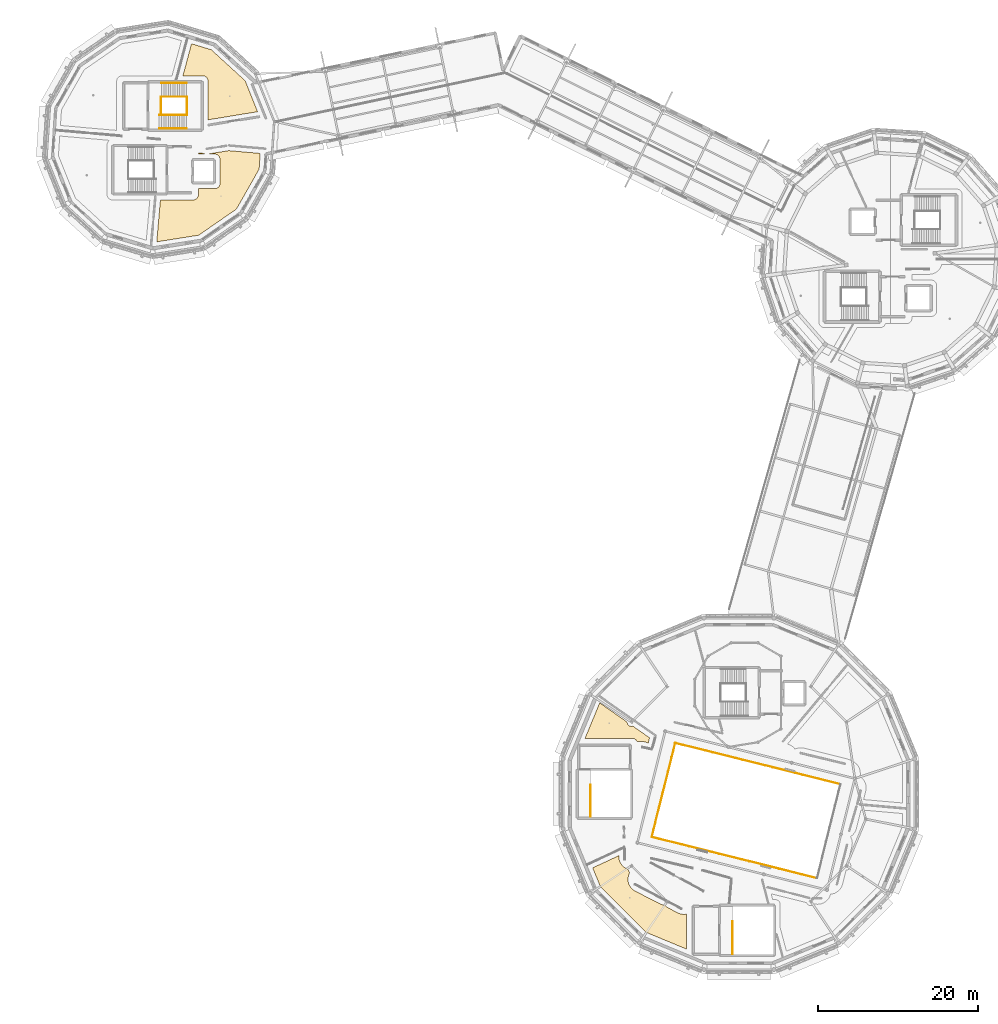
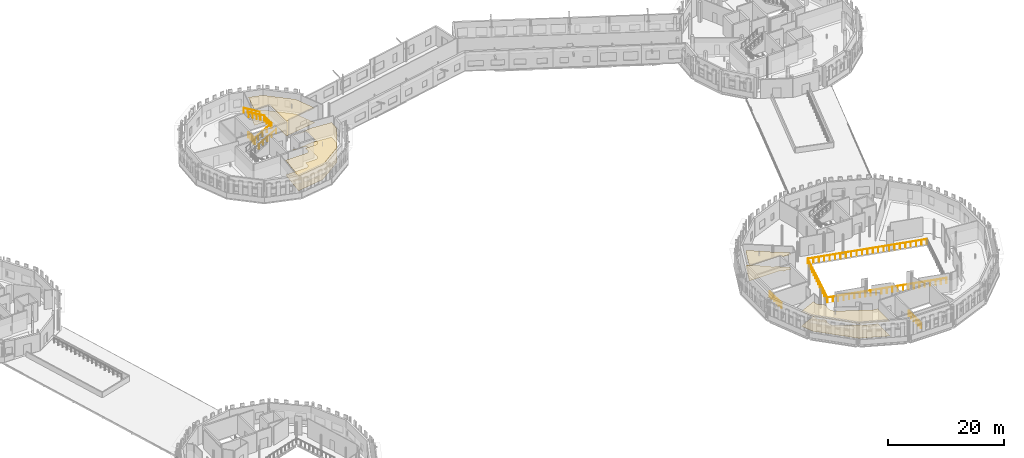
# One storey, part 66 of 68: 11 railings, 8 coverings.
"""IFC4 building model written with IfcOpenShell, lengths in metres."""

from ifc_helpers import new_model, si_unit, direction, frame, origin, origin_2d, place, context, subcontext, project, spatial, polyline, circle, outline, extrude, material, layer, layer_set, type_object, element, save


model = new_model("IFC4")

# Units and contexts
model_context = context("Model", 3, precision=1e-05, world=origin(), true_north=direction((0.0, 1.0)))
body_context = subcontext(model_context, "Body", "Model", "MODEL_VIEW")
ifc_project = project(units=[si_unit("LENGTHUNIT", "METRE"), si_unit("AREAUNIT", "SQUARE_METRE"), si_unit("VOLUMEUNIT", "CUBIC_METRE"), si_unit("PLANEANGLEUNIT", "RADIAN"), si_unit("MASSUNIT", "GRAM", prefix="KILO")], contexts=[model_context])

# Site, building, storey
site_placement = place(None, origin())
site = spatial("IfcSite", under=ifc_project, at=site_placement, CompositionType="ELEMENT")
building_placement = place(site_placement, origin())
building = spatial("IfcBuilding", under=site, at=building_placement, Name="Wrenclough Park School", CompositionType="ELEMENT")
storey_placement = place(building_placement, frame((0.0, 0.0, 12.60009765625)))
storey = spatial("IfcBuildingStorey", under=building, at=storey_placement, Name="L03", CompositionType="ELEMENT", Elevation=12.60009765625)

# Coverings
ifc_material_1 = material(Name="Class A mineral-fibre acoustic ceiling raft", Category="gypsum")
ifc_layer_1 = layer(ifc_material_1, 0.044921875)
ifc_layer_set_1 = layer_set([ifc_layer_1], Name="Class A mineral-fibre acoustic ceiling raft")
covering_type_1 = type_object("IfcCoveringType", Name="INT-COV-CEIL", PredefinedType="CEILING", material=ifc_layer_set_1)
covering_1_placement = place(storey_placement, frame((0.0, 0.0, 3.054931640625)))
element("IfcCovering", 1, at=covering_1_placement, inside=storey, type_object=covering_type_1, Name="Health and Nutrition Classroom acoustic ceiling raft", PredefinedType="CEILING", context=body_context, shape_type="SweptSolid", body=[
    extrude(outline(polyline([(140.449951171875, 18.62841796875), (140.45068359375, 18.757080078125), (137.168701171875, 17.233642578125), (138.135986328125, 14.897705078125), (143.897705078125, 9.135986328125), (148.929931640625, 7.0517578125), (148.929931640625, 11.45068359375), (148.7216796875, 11.40380859375), (148.605712890625, 11.3974609375), (148.167236328125, 11.453369140625), (148.0966796875, 11.474853515625), (148.02880859375, 11.50390625), (146.579345703125, 12.23388671875), (146.353515625, 12.4111328125), (146.308837890625, 12.45068359375), (146.238525390625, 12.5283203125), (146.112548828125, 12.541015625), (146.059814453125, 12.55224609375), (145.748779296875, 12.65771484375), (145.665283203125, 12.693359375), (142.476806640625, 14.325439453125), (142.37158203125, 14.392822265625), (142.073486328125, 14.627197265625), (141.982421875, 14.71435546875), (141.943603515625, 14.76416015625), (141.71923828125, 15.1533203125), (141.66748046875, 15.269775390625), (141.639404296875, 15.394287109375), (141.591796875, 15.777587890625), (141.587890625, 15.89111328125), (141.59326171875, 15.947998046875), (141.672607421875, 16.30126953125), (141.694580078125, 16.375732421875), (141.814697265625, 16.624267578125), (141.7451171875, 16.72314453125), (141.714111328125, 16.781982421875), (141.6318359375, 16.95849609375), (141.593994140625, 17.064208984375), (141.468994140625, 17.110107421875), (141.275390625, 17.204833984375), (141.178466796875, 17.26318359375), (140.90771484375, 17.495361328125), (140.819580078125, 17.589111328125), (140.782958984375, 17.641845703125), (140.605712890625, 17.929931640625), (140.56494140625, 18.028076171875), (140.486083984375, 18.28369140625), (140.449951171875, 18.62841796875)])), origin(), (0.0, 0.0, 1.0), 0.044921875),
])
covering_2_placement = place(storey_placement, frame((0.0, 0.0, 3.054931640625)))
element("IfcCovering", 2, at=covering_2_placement, inside=storey, type_object=covering_type_1, Name="Athletic Theory Classroom acoustic ceiling raft", PredefinedType="CEILING", context=body_context, shape_type="SweptSolid", body=[
    extrude(outline(polyline([(142.734619140625, 33.029541015625), (142.80224609375, 33.052001953125), (142.912109375, 33.072021484375), (143.41552734375, 33.075927734375), (143.536376953125, 33.053955078125), (144.13818359375, 32.884033203125), (144.298095703125, 33.525634765625), (142.2138671875, 34.985107421875), (142.13671875, 34.963134765625), (142.08349609375, 34.955322265625), (141.976318359375, 34.955322265625), (141.923095703125, 34.963134765625), (141.820556640625, 34.994384765625), (141.725830078125, 35.044921875), (141.682861328125, 35.076904296875), (141.60693359375, 35.15283203125), (141.54736328125, 35.241943359375), (141.50634765625, 35.341064453125), (141.4931640625, 35.393310546875), (141.48291015625, 35.4970703125), (138.052001953125, 37.8994140625), (136.21728515625, 33.469970703125), (142.18359375, 33.466796875), (142.30859375, 33.44189453125), (142.36865234375, 33.42041015625), (142.481201171875, 33.360595703125), (142.57958984375, 33.279541015625), (142.62255859375, 33.232421875), (142.693115234375, 33.12646484375), (142.734619140625, 33.029541015625)])), origin(), (0.0, 0.0, 1.0), 0.044921875),
])
covering_3_placement = place(storey_placement, frame((0.0, 0.0, 3.054931640625)))
element("IfcCovering", 3, at=covering_3_placement, inside=storey, type_object=covering_type_1, Name="Heads of Year Staff Room acoustic ceiling raft", PredefinedType="CEILING", context=body_context, shape_type="SweptSolid", body=[
    extrude(outline(polyline([(83.01025390625, 100.929931640625), (82.5498046875, 95.667724609375), (87.81298828125, 96.501220703125), (92.54248046875, 99.777587890625), (95.382080078125, 104.78173828125), (95.514892578125, 106.752685546875), (91.576416015625, 107.09716796875), (89.0107421875, 106.68701171875), (88.8017578125, 106.676025390625), (88.667724609375, 106.682861328125), (88.394775390625, 106.7294921875), (88.205810546875, 106.801513671875), (87.90673828125, 106.80517578125), (87.77001953125, 106.822265625), (87.77001953125, 106.669921875), (89.820068359375, 106.669921875), (89.94677734375, 106.657470703125), (90.068603515625, 106.62060546875), (90.18115234375, 106.560546875), (90.279541015625, 106.4794921875), (90.360595703125, 106.381103515625), (90.42041015625, 106.268798828125), (90.44189453125, 106.208740234375), (90.45751953125, 106.146728515625), (90.469970703125, 106.02001953125), (90.469970703125, 102.97998046875), (90.45751953125, 102.853271484375), (90.44189453125, 102.791259765625), (90.393310546875, 102.673583984375), (90.322509765625, 102.567626953125), (90.232421875, 102.4775390625), (90.12646484375, 102.40673828125), (90.0087890625, 102.35791015625), (89.8837890625, 102.3330078125), (87.77001953125, 102.330078125), (87.766845703125, 101.516357421875), (87.757568359375, 101.453125), (87.720458984375, 101.331298828125), (87.660400390625, 101.218994140625), (87.62255859375, 101.16748046875), (87.532470703125, 101.077392578125), (87.481201171875, 101.03955078125), (87.36865234375, 100.9794921875), (87.246826171875, 100.9423828125), (87.1201171875, 100.929931640625), (83.01025390625, 100.929931640625)])), origin(), (0.0, 0.0, 1.0), 0.044921875),
])
covering_4_placement = place(storey_placement, frame((0.0, 0.0, 3.054931640625)))
element("IfcCovering", 4, at=covering_4_placement, inside=storey, type_object=covering_type_1, Name="Earth Science Laboratory acoustic ceiling raft", PredefinedType="CEILING", context=body_context, shape_type="SweptSolid", body=[
    extrude(outline(polyline([(88.969970703125, 115.820068359375), (88.969970703125, 110.9541015625), (95.186767578125, 111.973876953125), (93.626953125, 115.8623046875), (89.380126953125, 119.744140625), (86.905517578125, 120.4873046875), (85.8291015625, 116.469970703125), (88.320068359375, 116.469970703125), (88.44677734375, 116.45751953125), (88.568603515625, 116.42041015625), (88.68115234375, 116.360595703125), (88.732421875, 116.322509765625), (88.822509765625, 116.232421875), (88.893310546875, 116.12646484375), (88.94189453125, 116.0087890625), (88.95751953125, 115.94677734375), (88.969970703125, 115.820068359375)])), origin(), (0.0, 0.0, 1.0), 0.044921875),
])
ifc_material_2 = material(Name="Acoustic natural linoleum school flooring", Category="wood")
ifc_layer_2 = layer(ifc_material_2, 0.014892578125)
ifc_layer_set_2 = layer_set([ifc_layer_2], Name="Acoustic natural linoleum school flooring")
covering_type_2 = type_object("IfcCoveringType", Name="INT-COV-FLOOR1", PredefinedType="FLOORING", material=ifc_layer_set_2)
covering_5_placement = place(storey_placement, origin())
element("IfcCovering", 5, at=covering_5_placement, inside=storey, type_object=covering_type_2, Name="Health and Nutrition Classroom floor finish", PredefinedType="FLOORING", context=body_context, shape_type="SweptSolid", body=[
    extrude(outline(polyline([(140.449951171875, 18.62841796875), (140.45068359375, 18.757080078125), (137.168701171875, 17.233642578125), (138.135986328125, 14.897705078125), (143.897705078125, 9.135986328125), (148.929931640625, 7.0517578125), (148.929931640625, 11.45068359375), (148.7216796875, 11.40380859375), (148.605712890625, 11.3974609375), (148.167236328125, 11.453369140625), (148.0966796875, 11.474853515625), (148.02880859375, 11.50390625), (146.579345703125, 12.23388671875), (146.353515625, 12.4111328125), (146.308837890625, 12.45068359375), (146.238525390625, 12.5283203125), (146.112548828125, 12.541015625), (146.059814453125, 12.55224609375), (145.748779296875, 12.65771484375), (145.665283203125, 12.693359375), (142.476806640625, 14.325439453125), (142.37158203125, 14.392822265625), (142.073486328125, 14.627197265625), (141.982421875, 14.71435546875), (141.943603515625, 14.76416015625), (141.71923828125, 15.1533203125), (141.66748046875, 15.269775390625), (141.639404296875, 15.394287109375), (141.591796875, 15.777587890625), (141.587890625, 15.89111328125), (141.59326171875, 15.947998046875), (141.672607421875, 16.30126953125), (141.694580078125, 16.375732421875), (141.814697265625, 16.624267578125), (141.7451171875, 16.72314453125), (141.714111328125, 16.781982421875), (141.6318359375, 16.95849609375), (141.593994140625, 17.064208984375), (141.468994140625, 17.110107421875), (141.275390625, 17.204833984375), (141.178466796875, 17.26318359375), (140.90771484375, 17.495361328125), (140.819580078125, 17.589111328125), (140.782958984375, 17.641845703125), (140.605712890625, 17.929931640625), (140.56494140625, 18.028076171875), (140.486083984375, 18.28369140625), (140.449951171875, 18.62841796875)])), origin(), (0.0, 0.0, 1.0), 0.014892578125),
])
covering_6_placement = place(storey_placement, origin())
element("IfcCovering", 6, at=covering_6_placement, inside=storey, type_object=covering_type_2, Name="Athletic Theory Classroom floor finish", PredefinedType="FLOORING", context=body_context, shape_type="SweptSolid", body=[
    extrude(outline(polyline([(142.734619140625, 33.029541015625), (142.80224609375, 33.052001953125), (142.912109375, 33.072021484375), (143.41552734375, 33.075927734375), (143.536376953125, 33.053955078125), (144.13818359375, 32.884033203125), (144.298095703125, 33.525634765625), (142.2138671875, 34.985107421875), (142.13671875, 34.963134765625), (142.08349609375, 34.955322265625), (141.976318359375, 34.955322265625), (141.923095703125, 34.963134765625), (141.820556640625, 34.994384765625), (141.725830078125, 35.044921875), (141.682861328125, 35.076904296875), (141.60693359375, 35.15283203125), (141.54736328125, 35.241943359375), (141.50634765625, 35.341064453125), (141.4931640625, 35.393310546875), (141.48291015625, 35.4970703125), (138.052001953125, 37.8994140625), (136.21728515625, 33.469970703125), (142.18359375, 33.466796875), (142.30859375, 33.44189453125), (142.36865234375, 33.42041015625), (142.481201171875, 33.360595703125), (142.57958984375, 33.279541015625), (142.62255859375, 33.232421875), (142.693115234375, 33.12646484375), (142.734619140625, 33.029541015625)])), origin(), (0.0, 0.0, 1.0), 0.014892578125),
])
covering_7_placement = place(storey_placement, origin())
element("IfcCovering", 7, at=covering_7_placement, inside=storey, type_object=covering_type_2, Name="Heads of Year Staff Room floor finish", PredefinedType="FLOORING", context=body_context, shape_type="SweptSolid", body=[
    extrude(outline(polyline([(83.01025390625, 100.929931640625), (82.5498046875, 95.667724609375), (87.81298828125, 96.501220703125), (92.54248046875, 99.777587890625), (95.382080078125, 104.78173828125), (95.514892578125, 106.752685546875), (91.576416015625, 107.09716796875), (89.0107421875, 106.68701171875), (88.8017578125, 106.676025390625), (88.667724609375, 106.682861328125), (88.394775390625, 106.7294921875), (88.205810546875, 106.801513671875), (87.90673828125, 106.80517578125), (87.77001953125, 106.822265625), (87.77001953125, 106.669921875), (89.820068359375, 106.669921875), (89.94677734375, 106.657470703125), (90.068603515625, 106.62060546875), (90.18115234375, 106.560546875), (90.279541015625, 106.4794921875), (90.360595703125, 106.381103515625), (90.42041015625, 106.268798828125), (90.44189453125, 106.208740234375), (90.45751953125, 106.146728515625), (90.469970703125, 106.02001953125), (90.469970703125, 102.97998046875), (90.45751953125, 102.853271484375), (90.44189453125, 102.791259765625), (90.393310546875, 102.673583984375), (90.322509765625, 102.567626953125), (90.232421875, 102.4775390625), (90.12646484375, 102.40673828125), (90.0087890625, 102.35791015625), (89.8837890625, 102.3330078125), (87.77001953125, 102.330078125), (87.766845703125, 101.516357421875), (87.757568359375, 101.453125), (87.720458984375, 101.331298828125), (87.660400390625, 101.218994140625), (87.62255859375, 101.16748046875), (87.532470703125, 101.077392578125), (87.481201171875, 101.03955078125), (87.36865234375, 100.9794921875), (87.246826171875, 100.9423828125), (87.1201171875, 100.929931640625), (83.01025390625, 100.929931640625)])), origin(), (0.0, 0.0, 1.0), 0.014892578125),
])
covering_8_placement = place(storey_placement, origin())
element("IfcCovering", 8, at=covering_8_placement, inside=storey, type_object=covering_type_2, Name="Earth Science Laboratory floor finish", PredefinedType="FLOORING", context=body_context, shape_type="SweptSolid", body=[
    extrude(outline(polyline([(88.969970703125, 115.820068359375), (88.969970703125, 110.9541015625), (95.186767578125, 111.973876953125), (93.626953125, 115.8623046875), (89.380126953125, 119.744140625), (86.905517578125, 120.4873046875), (85.8291015625, 116.469970703125), (88.320068359375, 116.469970703125), (88.44677734375, 116.45751953125), (88.568603515625, 116.42041015625), (88.68115234375, 116.360595703125), (88.732421875, 116.322509765625), (88.822509765625, 116.232421875), (88.893310546875, 116.12646484375), (88.94189453125, 116.0087890625), (88.95751953125, 115.94677734375), (88.969970703125, 115.820068359375)])), origin(), (0.0, 0.0, 1.0), 0.014892578125),
])

# Railings
ifc_material_3 = material(Name="Powder-coated steel vertical-baluster stair and atrium guard", Category="steel")
railing_type_1 = type_object("IfcRailingType", Name="INT-RL-GD1120", PredefinedType="GUARDRAIL", material=ifc_material_3)
railing_1_placement = place(storey_placement, frame((154.705078125, 6.43994140625, 0.0)))
element("IfcRailing", 9, at=railing_1_placement, inside=storey, type_object=railing_type_1, Name="ST-09 L03 top landing guard", PredefinedType="GUARDRAIL", context=body_context, shape_type="SweptSolid", body=[
    extrude(circle(Radius=0.02392578125, at=origin_2d()), frame((0.0, 0.0, 1.09619140625), z_axis=(0.0, 1.0, 0.0), x_axis=(-1.0, 0.0, 0.0)), (0.0, 0.0, 1.0), 4.110107421875),
    extrude(circle(Radius=0.02099609375, at=origin_2d()), origin(), (0.0, 0.0, 1.0), 1.072021484375),
    extrude(circle(Radius=0.02099609375, at=origin_2d()), frame((0.0, 0.822021484375, 0.0)), (0.0, 0.0, 1.0), 1.072021484375),
    extrude(circle(Radius=0.02099609375, at=origin_2d()), frame((0.0, 1.64404296875, 0.0)), (0.0, 0.0, 1.0), 1.072021484375),
    extrude(circle(Radius=0.02099609375, at=origin_2d()), frame((0.0, 2.466064453125, 0.0)), (0.0, 0.0, 1.0), 1.072021484375),
    extrude(circle(Radius=0.02099609375, at=origin_2d()), frame((0.0, 3.2880859375, 0.0)), (0.0, 0.0, 1.0), 1.072021484375),
    extrude(circle(Radius=0.02099609375, at=origin_2d()), frame((0.0, 4.110107421875, 0.0)), (0.0, 0.0, 1.0), 1.072021484375),
])
railing_2_placement = place(storey_placement, frame((136.905029296875, 23.639892578125, 0.0)))
element("IfcRailing", 10, at=railing_2_placement, inside=storey, type_object=railing_type_1, Name="ST-12 L03 top landing guard", PredefinedType="GUARDRAIL", context=body_context, shape_type="SweptSolid", body=[
    extrude(circle(Radius=0.02392578125, at=origin_2d()), frame((0.0, 0.0, 1.09619140625), z_axis=(0.0, 1.0, 0.0), x_axis=(-1.0, 0.0, 0.0)), (0.0, 0.0, 1.0), 4.010009765625),
    extrude(circle(Radius=0.02099609375, at=origin_2d()), origin(), (0.0, 0.0, 1.0), 1.072021484375),
    extrude(circle(Radius=0.02099609375, at=origin_2d()), frame((0.0, 0.802001953125, 0.0)), (0.0, 0.0, 1.0), 1.072021484375),
    extrude(circle(Radius=0.02099609375, at=origin_2d()), frame((0.0, 1.60400390625, 0.0)), (0.0, 0.0, 1.0), 1.072021484375),
    extrude(circle(Radius=0.02099609375, at=origin_2d()), frame((0.0, 2.406005859375, 0.0)), (0.0, 0.0, 1.0), 1.072021484375),
    extrude(circle(Radius=0.02099609375, at=origin_2d()), frame((0.0, 3.2080078125, 0.0)), (0.0, 0.0, 1.0), 1.072021484375),
    extrude(circle(Radius=0.02099609375, at=origin_2d()), frame((0.0, 4.010009765625, 0.0)), (0.0, 0.0, 1.0), 1.072021484375),
])
railing_3_placement = place(storey_placement, frame((83.10498046875, 111.550048828125, 0.0)))
element("IfcRailing", 11, at=railing_3_placement, inside=storey, type_object=railing_type_1, Name="ST-08 L03 well guard 1", PredefinedType="GUARDRAIL", context=body_context, shape_type="SweptSolid", body=[
    extrude(circle(Radius=0.02392578125, at=origin_2d()), frame((0.0, 0.0, 1.09619140625), z_axis=(0.0, 1.0, 0.0), x_axis=(-1.0, 0.0, 0.0)), (0.0, 0.0, 1.0), 2.300048828125),
    extrude(circle(Radius=0.02099609375, at=origin_2d()), origin(), (0.0, 0.0, 1.0), 1.072021484375),
    extrude(circle(Radius=0.02099609375, at=origin_2d()), frame((0.0, 0.7666015625, 0.0)), (0.0, 0.0, 1.0), 1.072021484375),
    extrude(circle(Radius=0.02099609375, at=origin_2d()), frame((0.0, 1.533447265625, 0.0)), (0.0, 0.0, 1.0), 1.072021484375),
    extrude(circle(Radius=0.02099609375, at=origin_2d()), frame((0.0, 2.300048828125, 0.0)), (0.0, 0.0, 1.0), 1.072021484375),
])
railing_4_placement = place(storey_placement, frame((82.860107421875, 111.550048828125, 0.16796875)))
element("IfcRailing", 12, at=railing_4_placement, inside=storey, type_object=railing_type_1, Name="ST-08 L03 well guard 2", PredefinedType="GUARDRAIL", context=body_context, shape_type="SweptSolid", body=[
    extrude(circle(Radius=0.02392578125, at=origin_2d()), frame((0.0, 0.0, 1.09619140625), z_axis=(0.861476970849, 0.0, 0.507796641084), x_axis=(0.0, 1.0, 0.0)), (0.0, 0.0, 1.0), 3.9697265625),
    extrude(circle(Radius=0.02099609375, at=origin_2d()), origin(), (0.0, 0.0, 1.0), 1.072021484375),
    extrude(circle(Radius=0.02099609375, at=origin_2d()), frame((0.85498046875, 0.0, 0.50390625)), (0.0, 0.0, 1.0), 1.072021484375),
    extrude(circle(Radius=0.02099609375, at=origin_2d()), frame((1.7099609375, 0.0, 1.0078125)), (0.0, 0.0, 1.0), 1.072021484375),
    extrude(circle(Radius=0.02099609375, at=origin_2d()), frame((2.56494140625, 0.0, 1.511962890625)), (0.0, 0.0, 1.0), 1.072021484375),
    extrude(circle(Radius=0.02099609375, at=origin_2d()), frame((3.419921875, 0.0, 2.015869140625)), (0.0, 0.0, 1.0), 1.072021484375),
])
railing_5_placement = place(storey_placement, frame((86.320068359375, 111.550048828125, 2.183837890625)))
element("IfcRailing", 13, at=railing_5_placement, inside=storey, type_object=railing_type_1, Name="ST-08 L03 well guard 3", PredefinedType="GUARDRAIL", context=body_context, shape_type="SweptSolid", body=[
    extrude(circle(Radius=0.02392578125, at=origin_2d()), frame((0.0, 0.0, 1.09619140625), z_axis=(0.0, 1.0, 0.0), x_axis=(-1.0, 0.0, 0.0)), (0.0, 0.0, 1.0), 2.300048828125),
    extrude(circle(Radius=0.02099609375, at=origin_2d()), origin(), (0.0, 0.0, 1.0), 1.072021484375),
    extrude(circle(Radius=0.02099609375, at=origin_2d()), frame((0.0, 0.7666015625, 0.0)), (0.0, 0.0, 1.0), 1.072021484375),
    extrude(circle(Radius=0.02099609375, at=origin_2d()), frame((0.0, 1.533447265625, 0.0)), (0.0, 0.0, 1.0), 1.072021484375),
    extrude(circle(Radius=0.02099609375, at=origin_2d()), frame((0.0, 2.300048828125, 0.0)), (0.0, 0.0, 1.0), 1.072021484375),
])
railing_6_placement = place(storey_placement, frame((86.280029296875, 113.85009765625, 2.351806640625)))
element("IfcRailing", 14, at=railing_6_placement, inside=storey, type_object=railing_type_1, Name="ST-08 L03 well guard 4", PredefinedType="GUARDRAIL", context=body_context, shape_type="SweptSolid", body=[
    extrude(circle(Radius=0.02392578125, at=origin_2d()), frame((0.0, 0.0, 1.09619140625), z_axis=(-0.861450943231, 0.0, 0.507840794351), x_axis=(0.0, -1.0, 0.0)), (0.0, 0.0, 1.0), 3.63916015625),
    extrude(circle(Radius=0.02099609375, at=origin_2d()), origin(), (0.0, 0.0, 1.0), 1.072021484375),
    extrude(circle(Radius=0.02099609375, at=origin_2d()), frame((-0.78369140625, 0.0, 0.4619140625)), (0.0, 0.0, 1.0), 1.072021484375),
    extrude(circle(Radius=0.02099609375, at=origin_2d()), frame((-1.5673828125, 0.0, 0.924072265625)), (0.0, 0.0, 1.0), 1.072021484375),
    extrude(circle(Radius=0.02099609375, at=origin_2d()), frame((-2.351318359375, 0.0, 1.38623046875)), (0.0, 0.0, 1.0), 1.072021484375),
    extrude(circle(Radius=0.02099609375, at=origin_2d()), frame((-3.135009765625, 0.0, 1.84814453125)), (0.0, 0.0, 1.0), 1.072021484375),
])
railing_7_placement = place(storey_placement, frame((144.602783203125, 21.085693359375, 0.0)))
element("IfcRailing", 15, at=railing_7_placement, inside=storey, type_object=railing_type_1, Name="D1 L03 void perimeter guard 1.1", PredefinedType="GUARDRAIL", context=body_context, shape_type="SweptSolid", body=[
    extrude(circle(Radius=0.02392578125, at=origin_2d()), frame((0.0, 0.0, 1.09619140625), z_axis=(0.970294085065, -0.241928478043, 0.0), x_axis=(0.241928478043, 0.970294085065, 0.0)), (0.0, 0.0, 1.0), 21.289794921875),
    extrude(circle(Radius=0.02099609375, at=origin_2d()), origin(), (0.0, 0.0, 1.0), 1.072021484375),
    extrude(circle(Radius=0.02099609375, at=origin_2d()), frame((0.93896484375, -0.234130859375, 0.0)), (0.0, 0.0, 1.0), 1.072021484375),
    extrude(circle(Radius=0.02099609375, at=origin_2d()), frame((1.8779296875, -0.46826171875, 0.0)), (0.0, 0.0, 1.0), 1.072021484375),
    extrude(circle(Radius=0.02099609375, at=origin_2d()), frame((2.81689453125, -0.702392578125, 0.0)), (0.0, 0.0, 1.0), 1.072021484375),
    extrude(circle(Radius=0.02099609375, at=origin_2d()), frame((3.755859375, -0.9365234375, 0.0)), (0.0, 0.0, 1.0), 1.072021484375),
    extrude(circle(Radius=0.02099609375, at=origin_2d()), frame((4.69482421875, -1.170654296875, 0.0)), (0.0, 0.0, 1.0), 1.072021484375),
    extrude(circle(Radius=0.02099609375, at=origin_2d()), frame((5.6337890625, -1.40478515625, 0.0)), (0.0, 0.0, 1.0), 1.072021484375),
    extrude(circle(Radius=0.02099609375, at=origin_2d()), frame((6.57275390625, -1.638916015625, 0.0)), (0.0, 0.0, 1.0), 1.072021484375),
    extrude(circle(Radius=0.02099609375, at=origin_2d()), frame((7.51171875, -1.873046875, 0.0)), (0.0, 0.0, 1.0), 1.072021484375),
    extrude(circle(Radius=0.02099609375, at=origin_2d()), frame((8.45068359375, -2.107177734375, 0.0)), (0.0, 0.0, 1.0), 1.072021484375),
    extrude(circle(Radius=0.02099609375, at=origin_2d()), frame((9.3896484375, -2.34130859375, 0.0)), (0.0, 0.0, 1.0), 1.072021484375),
    extrude(circle(Radius=0.02099609375, at=origin_2d()), frame((10.32861328125, -2.5751953125, 0.0)), (0.0, 0.0, 1.0), 1.072021484375),
    extrude(circle(Radius=0.02099609375, at=origin_2d()), frame((11.267822265625, -2.809326171875, 0.0)), (0.0, 0.0, 1.0), 1.072021484375),
    extrude(circle(Radius=0.02099609375, at=origin_2d()), frame((12.206787109375, -3.04345703125, 0.0)), (0.0, 0.0, 1.0), 1.072021484375),
    extrude(circle(Radius=0.02099609375, at=origin_2d()), frame((13.145751953125, -3.277587890625, 0.0)), (0.0, 0.0, 1.0), 1.072021484375),
    extrude(circle(Radius=0.02099609375, at=origin_2d()), frame((14.084716796875, -3.51171875, 0.0)), (0.0, 0.0, 1.0), 1.072021484375),
    extrude(circle(Radius=0.02099609375, at=origin_2d()), frame((15.023681640625, -3.745849609375, 0.0)), (0.0, 0.0, 1.0), 1.072021484375),
    extrude(circle(Radius=0.02099609375, at=origin_2d()), frame((15.962646484375, -3.97998046875, 0.0)), (0.0, 0.0, 1.0), 1.072021484375),
    extrude(circle(Radius=0.02099609375, at=origin_2d()), frame((16.901611328125, -4.214111328125, 0.0)), (0.0, 0.0, 1.0), 1.072021484375),
    extrude(circle(Radius=0.02099609375, at=origin_2d()), frame((17.840576171875, -4.4482421875, 0.0)), (0.0, 0.0, 1.0), 1.072021484375),
    extrude(circle(Radius=0.02099609375, at=origin_2d()), frame((18.779541015625, -4.682373046875, 0.0)), (0.0, 0.0, 1.0), 1.072021484375),
    extrude(circle(Radius=0.02099609375, at=origin_2d()), frame((19.718505859375, -4.91650390625, 0.0)), (0.0, 0.0, 1.0), 1.072021484375),
    extrude(circle(Radius=0.02099609375, at=origin_2d()), frame((20.657470703125, -5.150634765625, 0.0)), (0.0, 0.0, 1.0), 1.072021484375),
])
railing_8_placement = place(storey_placement, frame((168.197265625, 27.71435546875, 0.0)))
element("IfcRailing", 16, at=railing_8_placement, inside=storey, type_object=railing_type_1, Name="D1 L03 void perimeter guard 1.3", PredefinedType="GUARDRAIL", context=body_context, shape_type="SweptSolid", body=[
    extrude(circle(Radius=0.02392578125, at=origin_2d()), frame((0.0, 0.0, 1.09619140625), z_axis=(-0.970294085065, 0.241928478043, 0.0), x_axis=(-0.241928478043, -0.970294085065, 0.0)), (0.0, 0.0, 1.0), 21.289794921875),
    extrude(circle(Radius=0.02099609375, at=origin_2d()), origin(), (0.0, 0.0, 1.0), 1.072021484375),
    extrude(circle(Radius=0.02099609375, at=origin_2d()), frame((-0.93896484375, 0.234130859375, 0.0)), (0.0, 0.0, 1.0), 1.072021484375),
    extrude(circle(Radius=0.02099609375, at=origin_2d()), frame((-1.8779296875, 0.46826171875, 0.0)), (0.0, 0.0, 1.0), 1.072021484375),
    extrude(circle(Radius=0.02099609375, at=origin_2d()), frame((-2.81689453125, 0.702392578125, 0.0)), (0.0, 0.0, 1.0), 1.072021484375),
    extrude(circle(Radius=0.02099609375, at=origin_2d()), frame((-3.755859375, 0.9365234375, 0.0)), (0.0, 0.0, 1.0), 1.072021484375),
    extrude(circle(Radius=0.02099609375, at=origin_2d()), frame((-4.69482421875, 1.170654296875, 0.0)), (0.0, 0.0, 1.0), 1.072021484375),
    extrude(circle(Radius=0.02099609375, at=origin_2d()), frame((-5.6337890625, 1.40478515625, 0.0)), (0.0, 0.0, 1.0), 1.072021484375),
    extrude(circle(Radius=0.02099609375, at=origin_2d()), frame((-6.57275390625, 1.638916015625, 0.0)), (0.0, 0.0, 1.0), 1.072021484375),
    extrude(circle(Radius=0.02099609375, at=origin_2d()), frame((-7.51171875, 1.873046875, 0.0)), (0.0, 0.0, 1.0), 1.072021484375),
    extrude(circle(Radius=0.02099609375, at=origin_2d()), frame((-8.45068359375, 2.107177734375, 0.0)), (0.0, 0.0, 1.0), 1.072021484375),
    extrude(circle(Radius=0.02099609375, at=origin_2d()), frame((-9.3896484375, 2.34130859375, 0.0)), (0.0, 0.0, 1.0), 1.072021484375),
    extrude(circle(Radius=0.02099609375, at=origin_2d()), frame((-10.32861328125, 2.5751953125, 0.0)), (0.0, 0.0, 1.0), 1.072021484375),
    extrude(circle(Radius=0.02099609375, at=origin_2d()), frame((-11.267822265625, 2.809326171875, 0.0)), (0.0, 0.0, 1.0), 1.072021484375),
    extrude(circle(Radius=0.02099609375, at=origin_2d()), frame((-12.206787109375, 3.04345703125, 0.0)), (0.0, 0.0, 1.0), 1.072021484375),
    extrude(circle(Radius=0.02099609375, at=origin_2d()), frame((-13.145751953125, 3.277587890625, 0.0)), (0.0, 0.0, 1.0), 1.072021484375),
    extrude(circle(Radius=0.02099609375, at=origin_2d()), frame((-14.084716796875, 3.51171875, 0.0)), (0.0, 0.0, 1.0), 1.072021484375),
    extrude(circle(Radius=0.02099609375, at=origin_2d()), frame((-15.023681640625, 3.745849609375, 0.0)), (0.0, 0.0, 1.0), 1.072021484375),
    extrude(circle(Radius=0.02099609375, at=origin_2d()), frame((-15.962646484375, 3.97998046875, 0.0)), (0.0, 0.0, 1.0), 1.072021484375),
    extrude(circle(Radius=0.02099609375, at=origin_2d()), frame((-16.901611328125, 4.214111328125, 0.0)), (0.0, 0.0, 1.0), 1.072021484375),
    extrude(circle(Radius=0.02099609375, at=origin_2d()), frame((-17.840576171875, 4.4482421875, 0.0)), (0.0, 0.0, 1.0), 1.072021484375),
    extrude(circle(Radius=0.02099609375, at=origin_2d()), frame((-18.779541015625, 4.682373046875, 0.0)), (0.0, 0.0, 1.0), 1.072021484375),
    extrude(circle(Radius=0.02099609375, at=origin_2d()), frame((-19.718505859375, 4.91650390625, 0.0)), (0.0, 0.0, 1.0), 1.072021484375),
    extrude(circle(Radius=0.02099609375, at=origin_2d()), frame((-20.657470703125, 5.150634765625, 0.0)), (0.0, 0.0, 1.0), 1.072021484375),
])
railing_9_placement = place(storey_placement, frame((147.509521484375, 32.8466796875, 0.0)))
element("IfcRailing", 17, at=railing_9_placement, inside=storey, type_object=railing_type_1, Name="D1 L03 void perimeter guard 1.4", PredefinedType="GUARDRAIL", context=body_context, shape_type="SweptSolid", body=[
    extrude(circle(Radius=0.02392578125, at=origin_2d()), frame((0.0, 0.0, 1.09619140625), z_axis=(-0.24194164496, -0.970290801994, 0.0), x_axis=(0.970290801994, -0.24194164496, 0.0)), (0.0, 0.0, 1.0), 12.08984375),
    extrude(circle(Radius=0.02099609375, at=origin_2d()), origin(), (0.0, 0.0, 1.0), 1.072021484375),
    extrude(circle(Radius=0.02099609375, at=origin_2d()), frame((-0.22509765625, -0.90234375, 0.0)), (0.0, 0.0, 1.0), 1.072021484375),
    extrude(circle(Radius=0.02099609375, at=origin_2d()), frame((-0.449951171875, -1.8046875, 0.0)), (0.0, 0.0, 1.0), 1.072021484375),
    extrude(circle(Radius=0.02099609375, at=origin_2d()), frame((-0.675048828125, -2.70703125, 0.0)), (0.0, 0.0, 1.0), 1.072021484375),
    extrude(circle(Radius=0.02099609375, at=origin_2d()), frame((-0.89990234375, -3.609375, 0.0)), (0.0, 0.0, 1.0), 1.072021484375),
    extrude(circle(Radius=0.02099609375, at=origin_2d()), frame((-1.125, -4.51171875, 0.0)), (0.0, 0.0, 1.0), 1.072021484375),
    extrude(circle(Radius=0.02099609375, at=origin_2d()), frame((-1.35009765625, -5.4140625, 0.0)), (0.0, 0.0, 1.0), 1.072021484375),
    extrude(circle(Radius=0.02099609375, at=origin_2d()), frame((-1.574951171875, -6.316650390625, 0.0)), (0.0, 0.0, 1.0), 1.072021484375),
    extrude(circle(Radius=0.02099609375, at=origin_2d()), frame((-1.800048828125, -7.218994140625, 0.0)), (0.0, 0.0, 1.0), 1.072021484375),
    extrude(circle(Radius=0.02099609375, at=origin_2d()), frame((-2.025146484375, -8.121337890625, 0.0)), (0.0, 0.0, 1.0), 1.072021484375),
    extrude(circle(Radius=0.02099609375, at=origin_2d()), frame((-2.25, -9.023681640625, 0.0)), (0.0, 0.0, 1.0), 1.072021484375),
    extrude(circle(Radius=0.02099609375, at=origin_2d()), frame((-2.47509765625, -9.926025390625, 0.0)), (0.0, 0.0, 1.0), 1.072021484375),
    extrude(circle(Radius=0.02099609375, at=origin_2d()), frame((-2.699951171875, -10.828369140625, 0.0)), (0.0, 0.0, 1.0), 1.072021484375),
    extrude(circle(Radius=0.02099609375, at=origin_2d()), frame((-2.925048828125, -11.730712890625, 0.0)), (0.0, 0.0, 1.0), 1.072021484375),
])
ifc_material_4 = material(Name="Brushed stainless steel tubular handrail", Category="steel")
railing_type_2 = type_object("IfcRailingType", Name="INT-RL-HR950", PredefinedType="HANDRAIL", material=ifc_material_4)
railing_10_placement = place(storey_placement, frame((82.860107421875, 109.85009765625, 0.16796875)))
element("IfcRailing", 18, at=railing_10_placement, inside=storey, type_object=railing_type_2, Name="ST-08 L03 pitch handrail 1", PredefinedType="HANDRAIL", context=body_context, shape_type="SweptSolid", body=[
    extrude(circle(Radius=0.02392578125, at=origin_2d()), frame((0.0, 0.0, 0.92578125), z_axis=(0.861476970849, 0.0, 0.507796641084), x_axis=(0.0, 1.0, 0.0)), (0.0, 0.0, 1.0), 3.9697265625),
    extrude(circle(Radius=0.02099609375, at=origin_2d()), origin(), (0.0, 0.0, 1.0), 0.90185546875),
    extrude(circle(Radius=0.02099609375, at=origin_2d()), frame((0.85498046875, 0.0, 0.50390625)), (0.0, 0.0, 1.0), 0.90185546875),
    extrude(circle(Radius=0.02099609375, at=origin_2d()), frame((1.7099609375, 0.0, 1.0078125)), (0.0, 0.0, 1.0), 0.90185546875),
    extrude(circle(Radius=0.02099609375, at=origin_2d()), frame((2.56494140625, 0.0, 1.511962890625)), (0.0, 0.0, 1.0), 0.90185546875),
    extrude(circle(Radius=0.02099609375, at=origin_2d()), frame((3.419921875, 0.0, 2.015869140625)), (0.0, 0.0, 1.0), 0.90185546875),
])
railing_11_placement = place(storey_placement, frame((86.280029296875, 115.550048828125, 2.351806640625)))
element("IfcRailing", 19, at=railing_11_placement, inside=storey, type_object=railing_type_2, Name="ST-08 L03 pitch handrail 2", PredefinedType="HANDRAIL", context=body_context, shape_type="SweptSolid", body=[
    extrude(circle(Radius=0.02392578125, at=origin_2d()), frame((0.0, 0.0, 0.92578125), z_axis=(-0.861450943231, 0.0, 0.507840794351), x_axis=(0.0, -1.0, 0.0)), (0.0, 0.0, 1.0), 3.63916015625),
    extrude(circle(Radius=0.02099609375, at=origin_2d()), origin(), (0.0, 0.0, 1.0), 0.90185546875),
    extrude(circle(Radius=0.02099609375, at=origin_2d()), frame((-0.78369140625, 0.0, 0.4619140625)), (0.0, 0.0, 1.0), 0.90185546875),
    extrude(circle(Radius=0.02099609375, at=origin_2d()), frame((-1.5673828125, 0.0, 0.924072265625)), (0.0, 0.0, 1.0), 0.90185546875),
    extrude(circle(Radius=0.02099609375, at=origin_2d()), frame((-2.351318359375, 0.0, 1.38623046875)), (0.0, 0.0, 1.0), 0.90185546875),
    extrude(circle(Radius=0.02099609375, at=origin_2d()), frame((-3.135009765625, 0.0, 1.84814453125)), (0.0, 0.0, 1.0), 0.90185546875),
])

save(model, "model.ifc")
